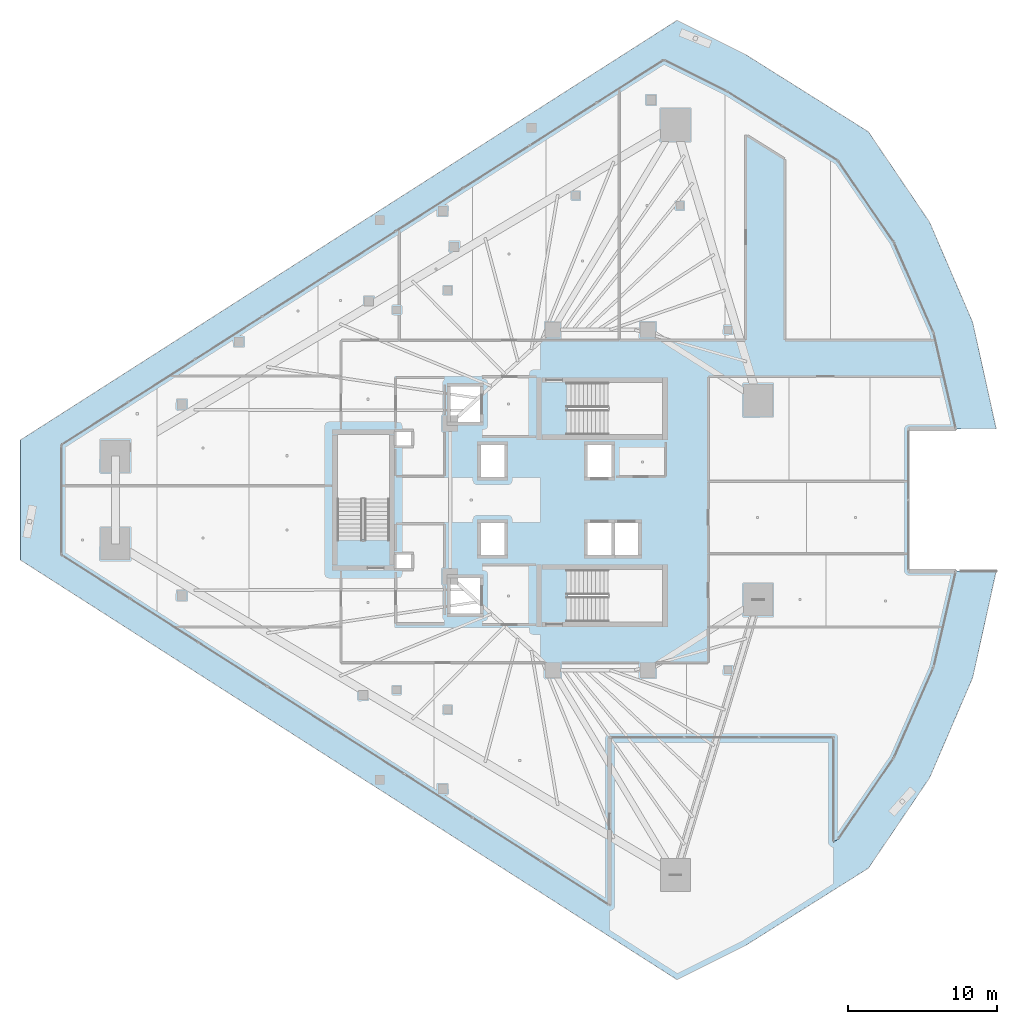
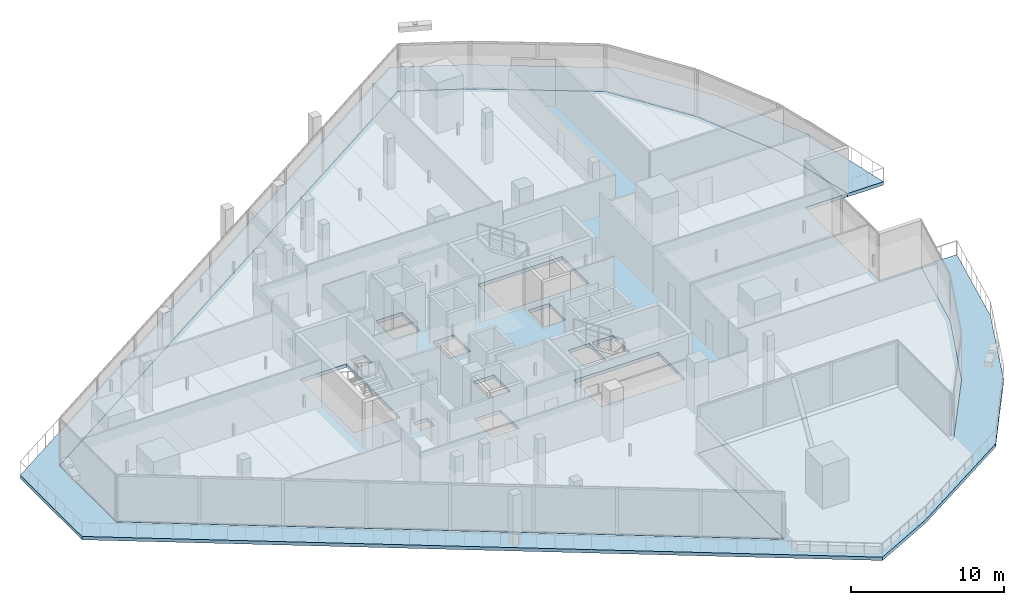
# One storey, part 25 of 39: 2 slabs.
"""IFC4 building model written with IfcOpenShell, lengths in metres."""

from ifc_helpers import new_model, si_unit, direction, frame, origin, place, context, subcontext, project, spatial, polyline, outline, extrude, material, layer, layer_set, type_object, element, save


model = new_model("IFC4")

# Units and contexts
model_context = context("Model", 3, precision=1e-05, world=origin(), true_north=direction((0.0, 1.0)))
body_context = subcontext(model_context, "Body", "Model", "MODEL_VIEW")
ifc_project = project(units=[si_unit("LENGTHUNIT", "METRE"), si_unit("AREAUNIT", "SQUARE_METRE"), si_unit("VOLUMEUNIT", "CUBIC_METRE"), si_unit("PLANEANGLEUNIT", "RADIAN"), si_unit("MASSUNIT", "GRAM", prefix="KILO")], contexts=[model_context])

# Site, building, storey
site_placement = place(None, origin())
site = spatial("IfcSite", under=ifc_project, at=site_placement, CompositionType="ELEMENT")
building_placement = place(site_placement, origin())
building = spatial("IfcBuilding", under=site, at=building_placement, Name="Qorvath Tower", CompositionType="ELEMENT")
storey_placement = place(building_placement, frame((0.0, 0.0, 154.35009765625)))
storey = spatial("IfcBuildingStorey", under=building, at=storey_placement, Name="L35", CompositionType="ELEMENT", Elevation=154.35009765625)

# Slabs
ifc_material_1 = material(Name="Precast concrete C45/55", Category="concrete")
ifc_layer_1 = layer(ifc_material_1, 0.27001953125)
ifc_layer_set_1 = layer_set([ifc_layer_1], Name="SL-LOG-270")
slab_type_1 = type_object("IfcSlabType", Name="SL-LOG-270", PredefinedType="FLOOR", material=ifc_layer_set_1)
slab_1_placement = place(storey_placement, frame((0.0, 0.0, -0.27001953125)))
element("IfcSlab", 1, at=slab_1_placement, inside=storey, type_object=slab_type_1, Name="Tower L35 Perimeter Loggia and Terrace Slab", PredefinedType="FLOOR", context=body_context, shape_type="SweptSolid", body=[
    extrude(outline(polyline([(3.53662109375, -4.795166015625), (2.0390625, -11.260986328125), (-0.628173828125, -17.338134765625), (-4.373291015625, -22.8173828125), (-4.68798828125, -23.013671875), (-4.68798828125, -15.98388671875), (-19.783935546875, -15.98388671875), (-19.783935546875, -27.287109375), (-56.683837890625, -3.703125), (-56.683837890625, 3.703125), (-16.124755859375, 29.625732421875), (-11.892578125, 27.509521484375), (-4.373291015625, 22.8173828125), (-0.628173828125, 17.338134765625), (2.0390625, 11.260986328125), (3.53662109375, 4.795166015625), (6.252685546875, 4.795166015625), (4.666015625, 11.964599609375), (1.761962890625, 18.708984375), (-2.356201171875, 24.78857421875), (-10.621826171875, 29.9873046875), (-15.2353515625, 32.2939453125), (-59.447265625, 4.03662109375), (-59.447265625, -4.03662109375), (-15.2353515625, -32.2939453125), (-10.621826171875, -29.9873046875), (-2.356201171875, -24.78857421875), (1.761962890625, -18.708984375), (4.666015625, -11.964599609375), (6.252685546875, -4.795166015625), (3.53662109375, -4.795166015625)])), origin(), (0.0, 0.0, 1.0), 0.27001953125),
])
ifc_material_2 = material(Name="Concrete C45/55", Category="concrete")
ifc_layer_2 = layer(ifc_material_2, 0.27001953125)
ifc_layer_set_2 = layer_set([ifc_layer_2], Name="SL-MID-270")
slab_type_2 = type_object("IfcSlabType", Name="SL-MID-270", PredefinedType="FLOOR", material=ifc_layer_set_2)
slab_2_placement = place(storey_placement, frame((0.0, 0.0, -0.27001953125)))
element("IfcSlab", 2, at=slab_2_placement, inside=storey, type_object=slab_type_2, Name="Tower L35 Interior Floor Slab", PredefinedType="FLOOR", context=body_context, shape_type="SweptSolid", body=[
    extrude(outline(polyline([(-56.683837890625, -3.703125), (-19.783935546875, -27.287109375), (-19.783935546875, -15.98388671875), (-4.68798828125, -15.98388671875), (-4.68798828125, -23.013671875), (-4.373291015625, -22.8173828125), (-0.628173828125, -17.338134765625), (2.0390625, -11.260986328125), (3.53662109375, -4.795166015625), (0.33984375, -4.795166015625), (0.33984375, 4.795166015625), (3.53662109375, 4.795166015625), (2.0390625, 11.260986328125), (-0.628173828125, 17.338134765625), (-4.373291015625, 22.8173828125), (-11.892578125, 27.509521484375), (-16.124755859375, 29.625732421875), (-56.683837890625, 3.703125), (-56.683837890625, -3.703125)]), holes=[polyline([(-16.2451171875, -8.199951171875), (-22.625, -8.199951171875), (-22.625, -4.68994140625), (-16.2451171875, -4.68994140625), (-16.2451171875, -8.199951171875)]), polyline([(-22.625, 4.39990234375), (-22.625, 7.909912109375), (-16.2451171875, 7.909912109375), (-16.2451171875, 4.39990234375), (-22.625, 4.39990234375)]), polyline([(-17.85009765625, -3.699951171875), (-19.449951171875, -3.699951171875), (-19.449951171875, -1.550048828125), (-17.85009765625, -1.550048828125), (-17.85009765625, -3.699951171875)]), polyline([(-21.25, -3.699951171875), (-21.25, -1.550048828125), (-19.64990234375, -1.550048828125), (-19.64990234375, -3.699951171875), (-21.25, -3.699951171875)]), polyline([(-21.25, 1.550048828125), (-21.25, 3.699951171875), (-19.64990234375, 3.699951171875), (-19.64990234375, 1.550048828125), (-21.25, 1.550048828125)]), polyline([(-28.449951171875, -3.699951171875), (-28.449951171875, -1.550048828125), (-26.85009765625, -1.550048828125), (-26.85009765625, -3.699951171875), (-28.449951171875, -3.699951171875)]), polyline([(-26.85009765625, 1.550048828125), (-28.449951171875, 1.550048828125), (-28.449951171875, 3.699951171875), (-26.85009765625, 3.699951171875), (-26.85009765625, 1.550048828125)]), polyline([(-28.5, -7.64990234375), (-30.5, -7.64990234375), (-30.5, -5.25), (-28.5, -5.25), (-28.5, -7.64990234375)]), polyline([(-30.5, 5.25), (-30.5, 7.64990234375), (-28.5, 7.64990234375), (-28.5, 5.25), (-30.5, 5.25)]), polyline([(-34.14990234375, -4.6201171875), (-34.14990234375, -3.64990234375), (-33.10009765625, -3.64990234375), (-33.10009765625, -4.6201171875), (-34.14990234375, -4.6201171875)]), polyline([(-34.14990234375, 3.64990234375), (-34.14990234375, 4.6201171875), (-33.10009765625, 4.6201171875), (-33.10009765625, 3.64990234375), (-34.14990234375, 3.64990234375)]), polyline([(-34.60009765625, -2.675048828125), (-38.110107421875, -2.675048828125), (-38.110107421875, 4.35498046875), (-34.60009765625, 4.35498046875), (-34.60009765625, -2.675048828125)])]), origin(), (0.0, 0.0, 1.0), 0.27001953125),
])

save(model, "model.ifc")
